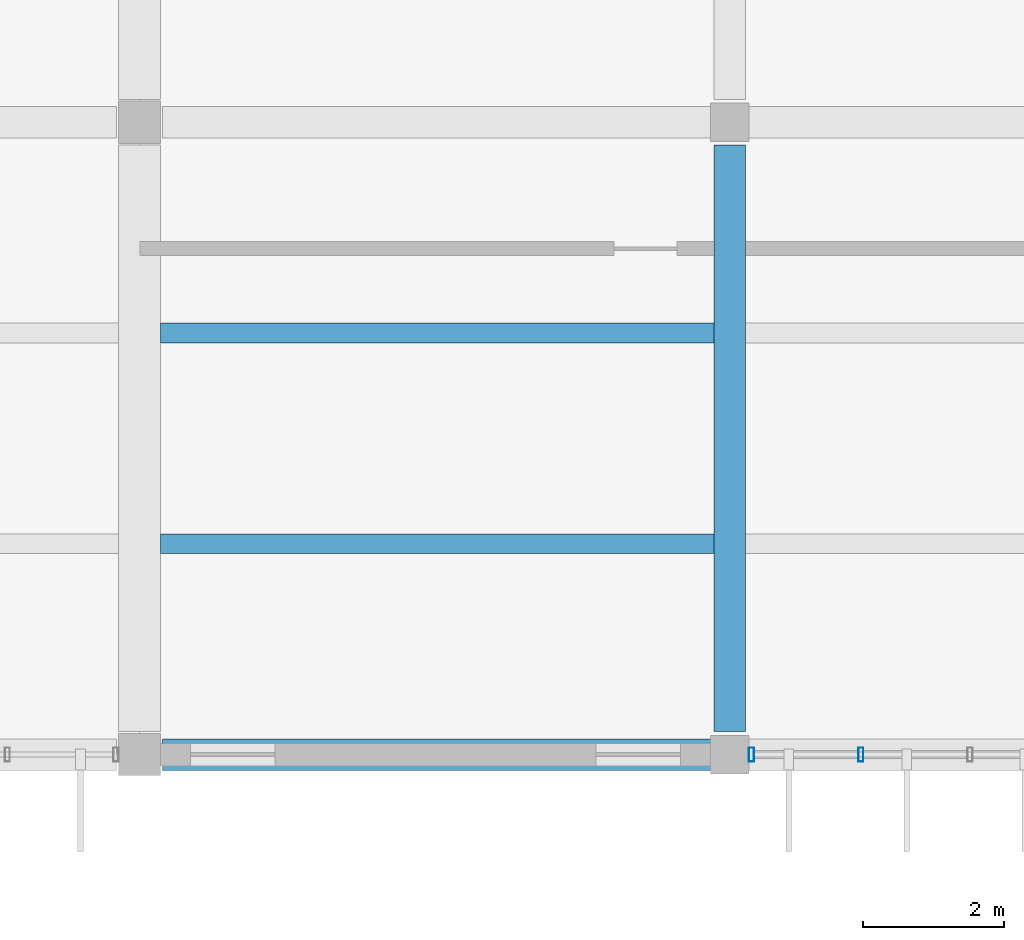
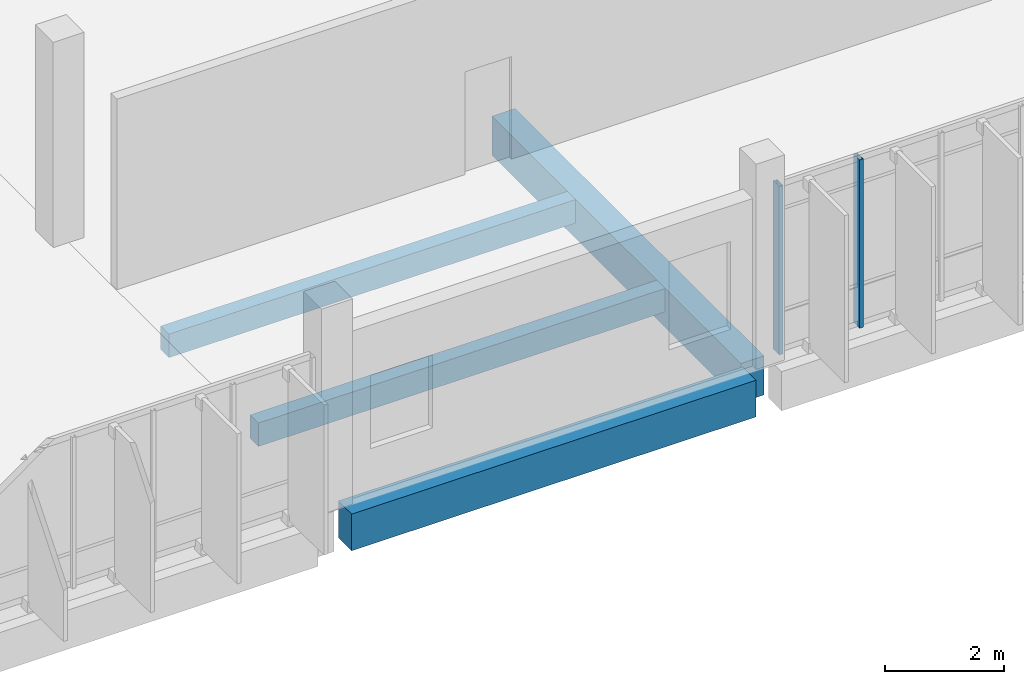
# One storey, part 30 of 130: 4 beams, 2 members, 1 element without a shape of its own.
"""IFC4 building model written with IfcOpenShell, lengths in metres."""

from ifc_helpers import new_model, si_unit, direction, frame, origin, origin_2d, place, context, subcontext, project, spatial, rectangle, hollow_rectangle, extrude, material, layer, layer_set, material_profile, profile_set, type_object, element, aggregate, save


model = new_model("IFC4")

# Units and contexts
model_context = context("Model", 3, precision=1e-05, world=origin(), true_north=direction((0.0, 1.0)))
body_context = subcontext(model_context, "Body", "Model", "MODEL_VIEW")
ifc_project = project(units=[si_unit("LENGTHUNIT", "METRE"), si_unit("AREAUNIT", "SQUARE_METRE"), si_unit("VOLUMEUNIT", "CUBIC_METRE"), si_unit("PLANEANGLEUNIT", "RADIAN"), si_unit("MASSUNIT", "GRAM", prefix="KILO")], contexts=[model_context])

# Site, building, storey
site_placement = place(None, origin())
site = spatial("IfcSite", under=ifc_project, at=site_placement, CompositionType="ELEMENT")
building_placement = place(site_placement, origin())
building = spatial("IfcBuilding", under=site, at=building_placement, Name="Vireocrest Preparatory School", CompositionType="ELEMENT")
storey_placement = place(building_placement, frame((0.0, 0.0, 9.0)))
storey = spatial("IfcBuildingStorey", under=building, at=storey_placement, Name="L02", CompositionType="ELEMENT", Elevation=9.0)

# Curtain wall, members
ifc_material_1 = material(Name="Thermally broken aluminium EN AW-6063-T6", Category="aluminium")
ifc_layer = layer(ifc_material_1, 0.179931640625)
ifc_layer_set = layer_set([ifc_layer], Name="Thermally broken aluminium EN AW-6063-T6")
curtain_wall_type = type_object("IfcCurtainWallType", Name="Botanical Lab Glazing 8400x3400", PredefinedType="USERDEFINED", material=ifc_layer_set)
curtain_wall_placement = place(storey_placement, origin())
curtain_wall = element("IfcCurtainWall", 1, at=curtain_wall_placement, inside=storey, type_object=curtain_wall_type, Name="Curtain Wall CW15 CW_L02_CW15_1178_0180_090", ObjectType="CURTAIN WALL", PredefinedType="USERDEFINED")
ifc_material_profile_1 = material_profile(ifc_material_1, hollow_rectangle(XDim=0.074951171875, YDim=0.199951171875, WallThickness=0.0048828125, at=origin_2d()), Name="ALU 75x200x5")
ifc_profile_set_1 = profile_set([ifc_material_profile_1], Name="Thermally broken aluminium EN AW-6063-T6")
member_type = type_object("IfcMemberType", Name="CW Mullion 75x200x5", PredefinedType="MULLION", material=ifc_profile_set_1)
member_1_placement = place(storey_placement, frame((117.909912109375, 18.0, 0.0), z_axis=(0.0, 0.0, 1.0), x_axis=(1.0, 0.0, 0.0)))
member_1 = element("IfcMember", 2, at=member_1_placement, type_object=member_type, Name="CW Mullion ML3 CW_L02_CW15_1178_0180_090-1", PredefinedType="MULLION", context=body_context, shape_type="SweptSolid", body=[
    extrude(hollow_rectangle(XDim=0.074951171875, YDim=0.199951171875, WallThickness=0.0048828125, at=origin_2d()), origin(), (0.0, 0.0, 1.0), 3.445068359375),
])
member_2_placement = place(storey_placement, frame((119.466064453125, 18.0, 0.0), z_axis=(0.0, 0.0, 1.0), x_axis=(1.0, 0.0, 0.0)))
member_2 = element("IfcMember", 3, at=member_2_placement, type_object=member_type, Name="CW Mullion ML3 CW_L02_CW15_1178_0180_090-2", PredefinedType="MULLION", context=body_context, shape_type="SweptSolid", body=[
    extrude(hollow_rectangle(XDim=0.074951171875, YDim=0.199951171875, WallThickness=0.0048828125, at=origin_2d()), origin(), (0.0, 0.0, 1.0), 3.445068359375),
])
aggregate(curtain_wall, [member_1, member_2])

# Beams
ifc_material_2 = material(Name="Concrete 40 MPa", Category="concrete")
ifc_material_profile_2 = material_profile(ifc_material_2, rectangle(XDim=0.449951171875, YDim=0.75, at=origin_2d()), Name="RC 450x750")
ifc_profile_set_2 = profile_set([ifc_material_profile_2], Name="Concrete 40 MPa")
beam_type_1 = type_object("IfcBeamType", Name="RC Library Stack Girder 450x750", PredefinedType="BEAM", material=ifc_profile_set_2)
beam_1_placement = place(storey_placement, frame((109.52490234375, 18.0, -0.635009765625), z_axis=(1.0, 0.0, 0.0), x_axis=(0.0, 1.0, 0.0)))
element("IfcBeam", 4, at=beam_1_placement, inside=storey, type_object=beam_type_1, Name="Primary Girder B11 L02-0685", PredefinedType="BEAM", context=body_context, shape_type="SweptSolid", body=[
    extrude(rectangle(XDim=0.449951171875, YDim=0.75, at=origin_2d()), origin(), (0.0, 0.0, 1.0), 7.8251953125),
])
ifc_material_profile_3 = material_profile(ifc_material_2, rectangle(XDim=0.449951171875, YDim=0.800048828125, at=origin_2d()), Name="RC 450x800")
ifc_profile_set_3 = profile_set([ifc_material_profile_3], Name="Concrete 40 MPa")
beam_type_2 = type_object("IfcBeamType", Name="RC Library Stack Girder 450x800", PredefinedType="BEAM", material=ifc_profile_set_3)
beam_2_placement = place(storey_placement, frame((117.60009765625, 18.324951171875, -0.659912109375), z_axis=(0.0, 1.0, 0.0), x_axis=(-1.0, 0.0, 0.0)))
element("IfcBeam", 5, at=beam_2_placement, inside=storey, type_object=beam_type_2, Name="Primary Girder B12 L02-0869", PredefinedType="BEAM", context=body_context, shape_type="SweptSolid", body=[
    extrude(rectangle(XDim=0.449951171875, YDim=0.800048828125, at=origin_2d()), origin(), (0.0, 0.0, 1.0), 8.35009765625),
])
ifc_material_profile_4 = material_profile(ifc_material_2, rectangle(XDim=0.280029296875, YDim=0.47998046875, at=origin_2d()), Name="RC 280x480")
ifc_profile_set_4 = profile_set([ifc_material_profile_4], Name="Concrete 40 MPa")
beam_type_3 = type_object("IfcBeamType", Name="RC Secondary Lab Joist 280x480", PredefinedType="JOIST", material=ifc_profile_set_4)
for number, where, z_axis, x_axis, name in (
    (6, (109.5, 21.0, -0.5), (1.0, 0.0, 0.0), (0.0, 1.0, 0.0), "Secondary Joist J02 L02-1004"),
    (7, (109.5, 24.0, -0.5), (1.0, 0.0, 0.0), (0.0, 1.0, 0.0), "Secondary Joist J02 L02-1005"),
):
    element("IfcBeam", number, at=place(storey_placement, frame(where, z_axis=z_axis, x_axis=x_axis)), inside=storey, type_object=beam_type_3, Name=name, PredefinedType="JOIST", context=body_context, shape_type="SweptSolid", body=[
        extrude(rectangle(XDim=0.280029296875, YDim=0.47998046875, at=origin_2d()), origin(), (0.0, 0.0, 1.0), 7.875),
    ])

save(model, "model.ifc")
